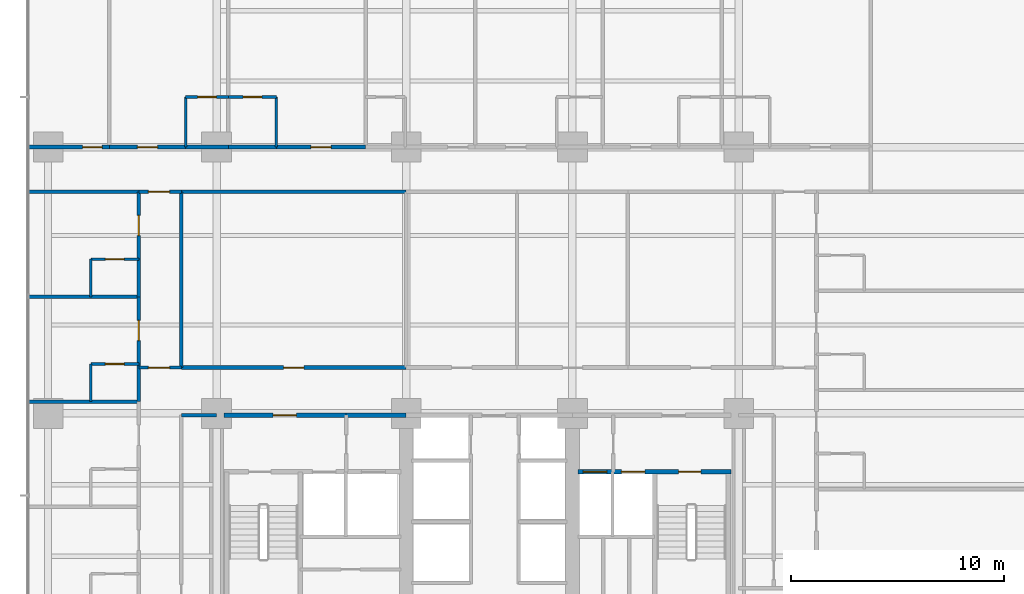
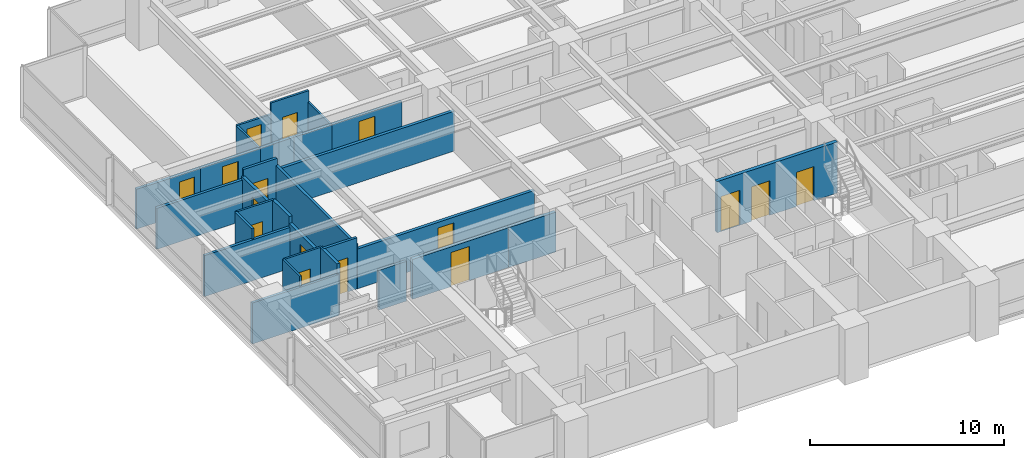
# One storey, part 9 of 18: 29 walls, 16 doors, 16 openings.
"""IFC4 building model written with IfcOpenShell, lengths in metres."""

from ifc_helpers import new_model, si_unit, direction, frame, frame_2d, origin, place, context, subcontext, project, spatial, rectangle, extrude, material, layer, layer_set, type_object, element, fill, save


model = new_model("IFC4")

# Units and contexts
model_context = context("Model", 3, precision=1e-05, world=origin(), true_north=direction((0.0, 1.0)))
body_context = subcontext(model_context, "Body", "Model", "MODEL_VIEW")
ifc_project = project(units=[si_unit("LENGTHUNIT", "METRE"), si_unit("AREAUNIT", "SQUARE_METRE"), si_unit("VOLUMEUNIT", "CUBIC_METRE"), si_unit("PLANEANGLEUNIT", "RADIAN"), si_unit("MASSUNIT", "GRAM", prefix="KILO")], contexts=[model_context])

# Site, building, storey
site_placement = place(None, origin())
site = spatial("IfcSite", under=ifc_project, at=site_placement, CompositionType="ELEMENT")
building_placement = place(site_placement, origin())
building = spatial("IfcBuilding", under=site, at=building_placement, Name="Qalmaran Belvedere Hotel", CompositionType="ELEMENT")
storey_placement = place(building_placement, frame((0.0, 0.0, 54.39990234375)))
storey = spatial("IfcBuildingStorey", under=building, at=storey_placement, Name="L13", CompositionType="ELEMENT", Elevation=54.39990234375)

# Wall, opening, door
ifc_material_1 = material(Name="Moisture-Resistant Gypsum")
ifc_layer_1 = layer(ifc_material_1, 0.1201171875, Name="Moisture-Resistant Gypsum")
ifc_layer_set_1 = layer_set([ifc_layer_1], Name="Moisture-Resistant Gypsum")
wall_type_1 = type_object("IfcWallType", Name="WL-INT-120-BATH", PredefinedType="PARTITIONING", material=ifc_layer_set_1)
wall_1_placement = place(storey_placement, frame((18.847412109375, 35.35009765625, 0.0), z_axis=(0.0, 0.0, 1.0), x_axis=(1.0, 0.0, 0.0)))
wall_1 = element("IfcWall", 1, at=wall_1_placement, inside=storey, type_object=wall_type_1, Name="L13 Partition WL-L13-NBN00", PredefinedType="PARTITIONING", context=body_context, shape_type="SweptSolid", body=[
    extrude(rectangle(XDim=2.010009765625, YDim=0.1201171875, at=frame_2d((1.0048828125, 0.0))), origin(), (0.0, 0.0, 1.0), 2.510009765625),
])
opening_1_placement = place(wall_1_placement, frame((1.44482421875, 0.0, 0.0), z_axis=(0.0, 0.0, 1.0), x_axis=(-1.0, 0.0, 0.0)))
opening_1 = element("IfcOpeningElement", 2, at=opening_1_placement, cuts=wall_1, Name="Opening D-BATH", PredefinedType="OPENING", context=body_context, shape_type="SweptSolid", body=[
    extrude(rectangle(XDim=0.8798828125, YDim=2.080078125, at=frame_2d((0.43994140625, 1.0400390625))), frame((0.0, 0.070068359375, 0.0), z_axis=(0.0, -1.0, 0.0), x_axis=(1.0, 0.0, 0.0)), (0.0, 0.0, 1.0), 0.14013671875),
])
ifc_material_2 = material(Name="Engineered Oak Veneer")
door_type_1 = type_object("IfcDoorType", Name="DR-INT-BATH-880X2080", OperationType="NOTDEFINED", PredefinedType="DOOR", material=ifc_material_2)
door_1_placement = place(opening_1_placement, origin())
door_1 = element("IfcDoor", 3, at=door_1_placement, inside=storey, type_object=door_type_1, Name="L13 Ensuite Bathroom Door N01", OperationType="SINGLE_SWING_LEFT", OverallHeight=2.080078125, OverallWidth=0.8798828125, PredefinedType="DOOR", context=body_context, shape_type="SweptSolid", body=[
    extrude(rectangle(XDim=0.8798828125, YDim=2.080078125, at=frame_2d((0.43994140625, 1.0400390625))), frame((0.0, 0.02490234375, 0.0), z_axis=(0.0, -1.0, 0.0), x_axis=(1.0, 0.0, 0.0)), (0.0, 0.0, 1.0), 0.050048828125),
])
fill(opening_1, door_1)

# Wall
wall_2_placement = place(storey_placement, frame((18.847412109375, 33.0, 0.0), z_axis=(0.0, 0.0, 1.0), x_axis=(0.0, 1.0, 0.0)))
element("IfcWall", 4, at=wall_2_placement, inside=storey, type_object=wall_type_1, Name="L13 Partition WL-L13-NBS00", PredefinedType="PARTITIONING", context=body_context, shape_type="SweptSolid", body=[
    extrude(rectangle(XDim=2.35009765625, YDim=0.1201171875, at=frame_2d((1.175048828125, 0.0))), origin(), (0.0, 0.0, 1.0), 2.510009765625),
])

# Wall, opening, door
wall_3_placement = place(storey_placement, frame((20.857421875, 35.35009765625, 0.0), z_axis=(0.0, 0.0, 1.0), x_axis=(1.0, 0.0, 0.0)))
wall_3 = element("IfcWall", 5, at=wall_3_placement, inside=storey, type_object=wall_type_1, Name="L13 Partition WL-L13-NBN01", PredefinedType="PARTITIONING", context=body_context, shape_type="SweptSolid", body=[
    extrude(rectangle(XDim=2.25, YDim=0.1201171875, at=frame_2d((1.125, 0.0))), origin(), (0.0, 0.0, 1.0), 3.22021484375),
])
opening_2_placement = place(wall_3_placement, frame((1.56494140625, 0.0, 0.0), z_axis=(0.0, 0.0, 1.0), x_axis=(-1.0, 0.0, 0.0)))
opening_2 = element("IfcOpeningElement", 6, at=opening_2_placement, cuts=wall_3, Name="Opening D-BATH", PredefinedType="OPENING", context=body_context, shape_type="SweptSolid", body=[
    extrude(rectangle(XDim=0.8798828125, YDim=2.080078125, at=frame_2d((0.43994140625, 1.0400390625))), frame((0.0, 0.070068359375, 0.0), z_axis=(0.0, -1.0, 0.0), x_axis=(1.0, 0.0, 0.0)), (0.0, 0.0, 1.0), 0.14013671875),
])
door_2_placement = place(opening_2_placement, origin())
door_2 = element("IfcDoor", 7, at=door_2_placement, inside=storey, type_object=door_type_1, Name="L13 Ensuite Bathroom Door N02", OperationType="SINGLE_SWING_LEFT", OverallHeight=2.080078125, OverallWidth=0.8798828125, PredefinedType="DOOR", context=body_context, shape_type="SweptSolid", body=[
    extrude(rectangle(XDim=0.8798828125, YDim=2.080078125, at=frame_2d((0.43994140625, 1.0400390625))), frame((0.0, 0.02490234375, 0.0), z_axis=(0.0, -1.0, 0.0), x_axis=(1.0, 0.0, 0.0)), (0.0, 0.0, 1.0), 0.050048828125),
])
fill(opening_2, door_2)

# Wall
wall_4_placement = place(storey_placement, frame((23.107421875, 33.0, 0.0), z_axis=(0.0, 0.0, 1.0), x_axis=(0.0, 1.0, 0.0)))
element("IfcWall", 8, at=wall_4_placement, inside=storey, type_object=wall_type_1, Name="L13 Partition WL-L13-NBS01", PredefinedType="PARTITIONING", context=body_context, shape_type="SweptSolid", body=[
    extrude(rectangle(XDim=2.35009765625, YDim=0.1201171875, at=frame_2d((1.175048828125, 0.0))), origin(), (0.0, 0.0, 1.0), 2.510009765625),
])

# Wall, opening, door
wall_5_placement = place(storey_placement, frame((14.39990234375, 22.820068359375, 0.0), z_axis=(0.0, 0.0, 1.0), x_axis=(1.0, 0.0, 0.0)))
wall_5 = element("IfcWall", 9, at=wall_5_placement, inside=storey, type_object=wall_type_1, Name="L13 Partition WL-L13-WBN02", PredefinedType="PARTITIONING", context=body_context, shape_type="SweptSolid", body=[
    extrude(rectangle(XDim=2.25, YDim=0.1201171875, at=frame_2d((1.125, 0.0))), origin(), (0.0, 0.0, 1.0), 3.22021484375),
])
opening_3_placement = place(wall_5_placement, frame((1.56494140625, 0.0, 0.0), z_axis=(0.0, 0.0, 1.0), x_axis=(-1.0, 0.0, 0.0)))
opening_3 = element("IfcOpeningElement", 10, at=opening_3_placement, cuts=wall_5, Name="Opening D-BATH", PredefinedType="OPENING", context=body_context, shape_type="SweptSolid", body=[
    extrude(rectangle(XDim=0.8798828125, YDim=2.080078125, at=frame_2d((0.43994140625, 1.0400390625))), frame((0.0, 0.070068359375, 0.0), z_axis=(0.0, -1.0, 0.0), x_axis=(1.0, 0.0, 0.0)), (0.0, 0.0, 1.0), 0.14013671875),
])
door_3_placement = place(opening_3_placement, origin())
door_3 = element("IfcDoor", 11, at=door_3_placement, inside=storey, type_object=door_type_1, Name="L13 W Ensuite Door 03", OperationType="SINGLE_SWING_LEFT", OverallHeight=2.080078125, OverallWidth=0.8798828125, PredefinedType="DOOR", context=body_context, shape_type="SweptSolid", body=[
    extrude(rectangle(XDim=0.8798828125, YDim=2.080078125, at=frame_2d((0.43994140625, 1.0400390625))), frame((0.0, 0.02490234375, 0.0), z_axis=(0.0, -1.0, 0.0), x_axis=(1.0, 0.0, 0.0)), (0.0, 0.0, 1.0), 0.050048828125),
])
fill(opening_3, door_3)

# Wall
wall_6_placement = place(storey_placement, frame((14.39990234375, 21.050048828125, 0.0), z_axis=(0.0, 0.0, 1.0), x_axis=(0.0, 1.0, 0.0)))
element("IfcWall", 12, at=wall_6_placement, inside=storey, type_object=wall_type_1, Name="L13 Partition WL-L13-WBS02", PredefinedType="PARTITIONING", context=body_context, shape_type="SweptSolid", body=[
    extrude(rectangle(XDim=1.77001953125, YDim=0.1201171875, at=frame_2d((0.885009765625, 0.0))), origin(), (0.0, 0.0, 1.0), 3.22021484375),
])

# Wall, opening, door
wall_7_placement = place(storey_placement, frame((14.39990234375, 27.7451171875, 0.0), z_axis=(0.0, 0.0, 1.0), x_axis=(1.0, 0.0, 0.0)))
wall_7 = element("IfcWall", 13, at=wall_7_placement, inside=storey, type_object=wall_type_1, Name="L13 Partition WL-L13-WBN03", PredefinedType="PARTITIONING", context=body_context, shape_type="SweptSolid", body=[
    extrude(rectangle(XDim=2.25, YDim=0.1201171875, at=frame_2d((1.125, 0.0))), origin(), (0.0, 0.0, 1.0), 3.22021484375),
])
opening_4_placement = place(wall_7_placement, frame((1.56494140625, 0.0, 0.0), z_axis=(0.0, 0.0, 1.0), x_axis=(-1.0, 0.0, 0.0)))
opening_4 = element("IfcOpeningElement", 14, at=opening_4_placement, cuts=wall_7, Name="Opening D-BATH", PredefinedType="OPENING", context=body_context, shape_type="SweptSolid", body=[
    extrude(rectangle(XDim=0.8798828125, YDim=2.080078125, at=frame_2d((0.43994140625, 1.0400390625))), frame((0.0, 0.070068359375, 0.0), z_axis=(0.0, -1.0, 0.0), x_axis=(1.0, 0.0, 0.0)), (0.0, 0.0, 1.0), 0.14013671875),
])
door_4_placement = place(opening_4_placement, origin())
door_4 = element("IfcDoor", 15, at=door_4_placement, inside=storey, type_object=door_type_1, Name="L13 W Ensuite Door 04", OperationType="SINGLE_SWING_LEFT", OverallHeight=2.080078125, OverallWidth=0.8798828125, PredefinedType="DOOR", context=body_context, shape_type="SweptSolid", body=[
    extrude(rectangle(XDim=0.8798828125, YDim=2.080078125, at=frame_2d((0.43994140625, 1.0400390625))), frame((0.0, 0.02490234375, 0.0), z_axis=(0.0, -1.0, 0.0), x_axis=(1.0, 0.0, 0.0)), (0.0, 0.0, 1.0), 0.050048828125),
])
fill(opening_4, door_4)

# Wall
wall_8_placement = place(storey_placement, frame((14.39990234375, 25.97509765625, 0.0), z_axis=(0.0, 0.0, 1.0), x_axis=(0.0, 1.0, 0.0)))
element("IfcWall", 16, at=wall_8_placement, inside=storey, type_object=wall_type_1, Name="L13 Partition WL-L13-WBS03", PredefinedType="PARTITIONING", context=body_context, shape_type="SweptSolid", body=[
    extrude(rectangle(XDim=1.77001953125, YDim=0.1201171875, at=frame_2d((0.885009765625, 0.0))), origin(), (0.0, 0.0, 1.0), 3.22021484375),
])

# Wall, opening, door
ifc_material_3 = material(Name="Gypsum Stud Partition")
ifc_layer_2 = layer(ifc_material_3, 0.14990234375, Name="Gypsum Stud Partition")
ifc_layer_set_2 = layer_set([ifc_layer_2], Name="Gypsum Stud Partition")
wall_type_2 = type_object("IfcWallType", Name="WL-INT-150-EI60", PredefinedType="PARTITIONING", material=ifc_layer_set_2)
wall_9_placement = place(storey_placement, frame((16.64990234375, 22.64990234375, 0.0), z_axis=(0.0, 0.0, 1.0), x_axis=(1.0, 0.0, 0.0)))
wall_9 = element("IfcWall", 17, at=wall_9_placement, inside=storey, type_object=wall_type_2, Name="L13 Partition WL-L13-XCW1", PredefinedType="PARTITIONING", context=body_context, shape_type="SweptSolid", body=[
    extrude(rectangle(XDim=2.0, YDim=0.14990234375, at=frame_2d((1.0, 0.0))), origin(), (0.0, 0.0, 1.0), 3.22021484375),
])
opening_5_placement = place(wall_9_placement, frame((0.449951171875, 0.0, 0.0)))
opening_5 = element("IfcOpeningElement", 18, at=opening_5_placement, cuts=wall_9, Name="Opening FD90B", PredefinedType="OPENING", context=body_context, shape_type="SweptSolid", body=[
    extrude(rectangle(XDim=1.0, YDim=2.14990234375, at=frame_2d((0.5, 1.074951171875))), frame((0.0, 0.0849609375, 0.0), z_axis=(0.0, -1.0, 0.0), x_axis=(1.0, 0.0, 0.0)), (0.0, 0.0, 1.0), 0.169921875),
])
ifc_material_4 = material(Name="Steel S355JR", Category="steel")
door_type_2 = type_object("IfcDoorType", Name="DR-FD90B-1000X2150", OperationType="NOTDEFINED", PredefinedType="DOOR", material=ifc_material_4)
door_5_placement = place(opening_5_placement, origin())
door_5 = element("IfcDoor", 19, at=door_5_placement, inside=storey, type_object=door_type_2, Name="L13 West Corridor Smoke Door S", OperationType="SINGLE_SWING_LEFT", OverallHeight=2.14990234375, OverallWidth=1.0, PredefinedType="DOOR", context=body_context, shape_type="SweptSolid", body=[
    extrude(rectangle(XDim=1.0, YDim=2.14990234375, at=frame_2d((0.5, 1.074951171875))), frame((0.0, 0.02490234375, 0.0), z_axis=(0.0, -1.0, 0.0), x_axis=(1.0, 0.0, 0.0)), (0.0, 0.0, 1.0), 0.050048828125),
])
fill(opening_5, door_5)

wall_10_placement = place(storey_placement, frame((16.64990234375, 30.89990234375, 0.0), z_axis=(0.0, 0.0, 1.0), x_axis=(1.0, 0.0, 0.0)))
wall_10 = element("IfcWall", 20, at=wall_10_placement, inside=storey, type_object=wall_type_2, Name="L13 Partition WL-L13-XCW2", PredefinedType="PARTITIONING", context=body_context, shape_type="SweptSolid", body=[
    extrude(rectangle(XDim=2.0, YDim=0.14990234375, at=frame_2d((1.0, 0.0))), origin(), (0.0, 0.0, 1.0), 3.22021484375),
])
opening_6_placement = place(wall_10_placement, frame((0.449951171875, 0.0, 0.0)))
opening_6 = element("IfcOpeningElement", 21, at=opening_6_placement, cuts=wall_10, Name="Opening FD90B", PredefinedType="OPENING", context=body_context, shape_type="SweptSolid", body=[
    extrude(rectangle(XDim=1.0, YDim=2.14990234375, at=frame_2d((0.5, 1.074951171875))), frame((0.0, 0.0849609375, 0.0), z_axis=(0.0, -1.0, 0.0), x_axis=(1.0, 0.0, 0.0)), (0.0, 0.0, 1.0), 0.169921875),
])
door_6_placement = place(opening_6_placement, origin())
door_6 = element("IfcDoor", 22, at=door_6_placement, inside=storey, type_object=door_type_2, Name="L13 West Corridor Smoke Door N", OperationType="SINGLE_SWING_RIGHT", OverallHeight=2.14990234375, OverallWidth=1.0, PredefinedType="DOOR", context=body_context, shape_type="SweptSolid", body=[
    extrude(rectangle(XDim=1.0, YDim=2.14990234375, at=frame_2d((0.5, 1.074951171875))), frame((0.0, 0.02490234375, 0.0), z_axis=(0.0, -1.0, 0.0), x_axis=(1.0, 0.0, 0.0)), (0.0, 0.0, 1.0), 0.050048828125),
])
fill(opening_6, door_6)

# Walls
ifc_layer_3 = layer(ifc_material_3, 0.159912109375, Name="Gypsum Stud Partition")
ifc_layer_set_3 = layer_set([ifc_layer_3], Name="Gypsum Stud Partition")
wall_type_3 = type_object("IfcWallType", Name="WL-INT-160-EI60", PredefinedType="PARTITIONING", material=ifc_layer_set_3)
wall_11_placement = place(storey_placement, frame((18.64990234375, 20.419921875, 0.0), z_axis=(0.0, 0.0, 1.0), x_axis=(1.0, 0.0, 0.0)))
element("IfcWall", 23, at=wall_11_placement, inside=storey, type_object=wall_type_3, Name="L13 Partition WL-L13-WCLN", PredefinedType="PARTITIONING", context=body_context, shape_type="SweptSolid", body=[
    extrude(rectangle(XDim=1.650146484375, YDim=0.159912109375, at=frame_2d((0.8251953125, 0.0))), origin(), (0.0, 0.0, 1.0), 2.510009765625),
])
wall_12_placement = place(storey_placement, frame((18.64990234375, 22.64990234375, 0.0), z_axis=(0.0, 0.0, 1.0), x_axis=(0.0, 1.0, 0.0)))
element("IfcWall", 24, at=wall_12_placement, inside=storey, type_object=wall_type_3, Name="L13 Partition WL-L13-MIDVL", PredefinedType="PARTITIONING", context=body_context, shape_type="SweptSolid", body=[
    extrude(rectangle(XDim=8.25, YDim=0.159912109375, at=frame_2d((4.125, 0.0))), origin(), (0.0, 0.0, 1.0), 2.7880859375),
])
for number, where, z_axis, x_axis, name in (
    (25, (11.469970703125, 21.050048828125, 0.0), (0.0, 0.0, 1.0), (1.0, 0.0, 0.0), "L13 Partition WL-L13-WU01"),
    (26, (11.469970703125, 25.97509765625, 0.0), (0.0, 0.0, 1.0), (1.0, 0.0, 0.0), "L13 Partition WL-L13-WU02"),
    (27, (11.469970703125, 30.89990234375, 0.0), (0.0, 0.0, 1.0), (1.0, 0.0, 0.0), "L13 Partition WL-L13-WU03"),
):
    element("IfcWall", number, at=place(storey_placement, frame(where, z_axis=z_axis, x_axis=x_axis)), inside=storey, type_object=wall_type_3, Name=name, PredefinedType="PARTITIONING", context=body_context, shape_type="SweptSolid", body=[
        extrude(rectangle(XDim=5.179931640625, YDim=0.159912109375, at=frame_2d((2.58984375, 0.0))), origin(), (0.0, 0.0, 1.0), 2.5830078125),
    ])

# Wall, opening, door
ifc_layer_4 = layer(ifc_material_3, 0.179931640625, Name="Gypsum Stud Partition")
ifc_layer_set_4 = layer_set([ifc_layer_4], Name="Gypsum Stud Partition")
wall_type_4 = type_object("IfcWallType", Name="WL-INT-180-EI60", PredefinedType="PARTITIONING", material=ifc_layer_set_4)
wall_13_placement = place(storey_placement, frame((18.64990234375, 22.64990234375, 0.0), z_axis=(0.0, 0.0, 1.0), x_axis=(1.0, 0.0, 0.0)))
wall_13 = element("IfcWall", 28, at=wall_13_placement, inside=storey, type_object=wall_type_4, Name="L13 Partition WL-L13-MIDD1", PredefinedType="PARTITIONING", context=body_context, shape_type="SweptSolid", body=[
    extrude(rectangle(XDim=10.550048828125, YDim=0.179931640625, at=frame_2d((5.27490234375, 0.0))), origin(), (0.0, 0.0, 1.0), 2.510009765625),
])
opening_7_placement = place(wall_13_placement, frame((4.800048828125, 0.0, 0.0)))
opening_7 = element("IfcOpeningElement", 29, at=opening_7_placement, cuts=wall_13, Name="Opening FD60", PredefinedType="OPENING", context=body_context, shape_type="SweptSolid", body=[
    extrude(rectangle(XDim=0.949951171875, YDim=2.14990234375, at=frame_2d((0.47509765625, 1.074951171875))), frame((0.0, 0.10009765625, 0.0), z_axis=(0.0, -1.0, 0.0), x_axis=(1.0, 0.0, 0.0)), (0.0, 0.0, 1.0), 0.199951171875),
])
door_type_3 = type_object("IfcDoorType", Name="DR-FD60-950X2150", OperationType="NOTDEFINED", PredefinedType="DOOR", material=ifc_material_2)
door_7_placement = place(opening_7_placement, origin())
door_7 = element("IfcDoor", 30, at=door_7_placement, inside=storey, type_object=door_type_3, Name="L13 Housekeeping and Linen Room Door", OperationType="SINGLE_SWING_LEFT", OverallHeight=2.14990234375, OverallWidth=0.949951171875, PredefinedType="DOOR", context=body_context, shape_type="SweptSolid", body=[
    extrude(rectangle(XDim=0.949951171875, YDim=2.14990234375, at=frame_2d((0.47509765625, 1.074951171875))), frame((0.0, 0.02490234375, 0.0), z_axis=(0.0, -1.0, 0.0), x_axis=(1.0, 0.0, 0.0)), (0.0, 0.0, 1.0), 0.050048828125),
])
fill(opening_7, door_7)

# Walls
wall_14_placement = place(storey_placement, frame((18.64990234375, 30.89990234375, 0.0), z_axis=(0.0, 0.0, 1.0), x_axis=(1.0, 0.0, 0.0)))
element("IfcWall", 31, at=wall_14_placement, inside=storey, type_object=wall_type_4, Name="L13 Partition WL-L13-MIDO1", PredefinedType="PARTITIONING", context=body_context, shape_type="SweptSolid", body=[
    extrude(rectangle(XDim=10.550048828125, YDim=0.179931640625, at=frame_2d((5.27490234375, 0.0))), origin(), (0.0, 0.0, 1.0), 2.510009765625),
])
wall_15_placement = place(storey_placement, frame((18.847412109375, 33.0, 0.0), z_axis=(0.0, 0.0, 1.0), x_axis=(1.0, 0.0, 0.0)))
element("IfcWall", 32, at=wall_15_placement, inside=storey, type_object=wall_type_4, Name="L13 Partition WL-L13-NBC00", PredefinedType="PARTITIONING", context=body_context, shape_type="SweptSolid", body=[
    extrude(rectangle(XDim=2.010009765625, YDim=0.179931640625, at=frame_2d((1.0048828125, 0.0))), origin(), (0.0, 0.0, 1.0), 2.510009765625),
])

# Wall, opening, door
wall_16_placement = place(storey_placement, frame((15.27001953125, 33.0, 0.0), z_axis=(0.0, 0.0, 1.0), x_axis=(1.0, 0.0, 0.0)))
wall_16 = element("IfcWall", 33, at=wall_16_placement, inside=storey, type_object=wall_type_4, Name="L13 Partition WL-L13-NEC00", PredefinedType="PARTITIONING", context=body_context, shape_type="SweptSolid", body=[
    extrude(rectangle(XDim=3.577392578125, YDim=0.179931640625, at=frame_2d((1.78857421875, 0.0))), origin(), (0.0, 0.0, 1.0), 2.510009765625),
])
opening_8_placement = place(wall_16_placement, frame((1.313720703125, 0.0, 0.0)))
opening_8 = element("IfcOpeningElement", 34, at=opening_8_placement, cuts=wall_16, Name="Opening FD60", PredefinedType="OPENING", context=body_context, shape_type="SweptSolid", body=[
    extrude(rectangle(XDim=0.949951171875, YDim=2.14990234375, at=frame_2d((0.47509765625, 1.074951171875))), frame((0.0, 0.10009765625, 0.0), z_axis=(0.0, -1.0, 0.0), x_axis=(1.0, 0.0, 0.0)), (0.0, 0.0, 1.0), 0.199951171875),
])
door_8_placement = place(opening_8_placement, origin())
door_8 = element("IfcDoor", 35, at=door_8_placement, inside=storey, type_object=door_type_3, Name="L13 Guest Entrance Door N01", OperationType="SINGLE_SWING_RIGHT", OverallHeight=2.14990234375, OverallWidth=0.949951171875, PredefinedType="DOOR", context=body_context, shape_type="SweptSolid", body=[
    extrude(rectangle(XDim=0.949951171875, YDim=2.14990234375, at=frame_2d((0.47509765625, 1.074951171875))), frame((0.0, 0.02490234375, 0.0), z_axis=(0.0, -1.0, 0.0), x_axis=(1.0, 0.0, 0.0)), (0.0, 0.0, 1.0), 0.050048828125),
])
fill(opening_8, door_8)

# Wall
wall_17_placement = place(storey_placement, frame((20.857421875, 33.0, 0.0), z_axis=(0.0, 0.0, 1.0), x_axis=(1.0, 0.0, 0.0)))
element("IfcWall", 36, at=wall_17_placement, inside=storey, type_object=wall_type_4, Name="L13 Partition WL-L13-NBC01", PredefinedType="PARTITIONING", context=body_context, shape_type="SweptSolid", body=[
    extrude(rectangle(XDim=2.25, YDim=0.179931640625, at=frame_2d((1.125, 0.0))), origin(), (0.0, 0.0, 1.0), 2.510009765625),
])

# Wall, opening, door
wall_18_placement = place(storey_placement, frame((23.107421875, 33.0, 0.0), z_axis=(0.0, 0.0, 1.0), x_axis=(1.0, 0.0, 0.0)))
wall_18 = element("IfcWall", 37, at=wall_18_placement, inside=storey, type_object=wall_type_4, Name="L13 Partition WL-L13-NEC01", PredefinedType="PARTITIONING", context=body_context, shape_type="SweptSolid", body=[
    extrude(rectangle(XDim=4.192626953125, YDim=0.179931640625, at=frame_2d((2.09619140625, 0.0))), origin(), (0.0, 0.0, 1.0), 2.510009765625),
])
opening_9_placement = place(wall_18_placement, frame((1.621337890625, 0.0, 0.0)))
opening_9 = element("IfcOpeningElement", 38, at=opening_9_placement, cuts=wall_18, Name="Opening FD60", PredefinedType="OPENING", context=body_context, shape_type="SweptSolid", body=[
    extrude(rectangle(XDim=0.949951171875, YDim=2.14990234375, at=frame_2d((0.47509765625, 1.074951171875))), frame((0.0, 0.10009765625, 0.0), z_axis=(0.0, -1.0, 0.0), x_axis=(1.0, 0.0, 0.0)), (0.0, 0.0, 1.0), 0.199951171875),
])
door_9_placement = place(opening_9_placement, origin())
door_9 = element("IfcDoor", 39, at=door_9_placement, inside=storey, type_object=door_type_3, Name="L13 Guest Entrance Door N02", OperationType="SINGLE_SWING_RIGHT", OverallHeight=2.14990234375, OverallWidth=0.949951171875, PredefinedType="DOOR", context=body_context, shape_type="SweptSolid", body=[
    extrude(rectangle(XDim=0.949951171875, YDim=2.14990234375, at=frame_2d((0.47509765625, 1.074951171875))), frame((0.0, 0.02490234375, 0.0), z_axis=(0.0, -1.0, 0.0), x_axis=(1.0, 0.0, 0.0)), (0.0, 0.0, 1.0), 0.050048828125),
])
fill(opening_9, door_9)

# Wall
wall_19_placement = place(storey_placement, frame((16.64990234375, 21.050048828125, 0.0), z_axis=(0.0, 0.0, 1.0), x_axis=(0.0, 1.0, 0.0)))
element("IfcWall", 40, at=wall_19_placement, inside=storey, type_object=wall_type_4, Name="L13 Partition WL-L13-WBC02", PredefinedType="PARTITIONING", context=body_context, shape_type="SweptSolid", body=[
    extrude(rectangle(XDim=1.77001953125, YDim=0.179931640625, at=frame_2d((0.885009765625, 0.0))), origin(), (0.0, 0.0, 1.0), 3.22021484375),
])

# Wall, opening, door
wall_20_placement = place(storey_placement, frame((16.64990234375, 22.820068359375, 0.0), z_axis=(0.0, 0.0, 1.0), x_axis=(0.0, 1.0, 0.0)))
wall_20 = element("IfcWall", 41, at=wall_20_placement, inside=storey, type_object=wall_type_4, Name="L13 Partition WL-L13-WEC02", PredefinedType="PARTITIONING", context=body_context, shape_type="SweptSolid", body=[
    extrude(rectangle(XDim=3.155029296875, YDim=0.179931640625, at=frame_2d((1.57763671875, 0.0))), origin(), (0.0, 0.0, 1.0), 2.7880859375),
])
opening_10_placement = place(wall_20_placement, frame((1.1025390625, 0.0, 0.0)))
opening_10 = element("IfcOpeningElement", 42, at=opening_10_placement, cuts=wall_20, Name="Opening FD60", PredefinedType="OPENING", context=body_context, shape_type="SweptSolid", body=[
    extrude(rectangle(XDim=0.949951171875, YDim=2.14990234375, at=frame_2d((0.47509765625, 1.074951171875))), frame((0.0, 0.10009765625, 0.0), z_axis=(0.0, -1.0, 0.0), x_axis=(1.0, 0.0, 0.0)), (0.0, 0.0, 1.0), 0.199951171875),
])
door_10_placement = place(opening_10_placement, origin())
door_10 = element("IfcDoor", 43, at=door_10_placement, inside=storey, type_object=door_type_3, Name="L13 W Wing Door 03", OperationType="SINGLE_SWING_RIGHT", OverallHeight=2.14990234375, OverallWidth=0.949951171875, PredefinedType="DOOR", context=body_context, shape_type="SweptSolid", body=[
    extrude(rectangle(XDim=0.949951171875, YDim=2.14990234375, at=frame_2d((0.47509765625, 1.074951171875))), frame((0.0, 0.02490234375, 0.0), z_axis=(0.0, -1.0, 0.0), x_axis=(1.0, 0.0, 0.0)), (0.0, 0.0, 1.0), 0.050048828125),
])
fill(opening_10, door_10)

# Wall
wall_21_placement = place(storey_placement, frame((16.64990234375, 25.97509765625, 0.0), z_axis=(0.0, 0.0, 1.0), x_axis=(0.0, 1.0, 0.0)))
element("IfcWall", 44, at=wall_21_placement, inside=storey, type_object=wall_type_4, Name="L13 Partition WL-L13-WBC03", PredefinedType="PARTITIONING", context=body_context, shape_type="SweptSolid", body=[
    extrude(rectangle(XDim=1.77001953125, YDim=0.179931640625, at=frame_2d((0.885009765625, 0.0))), origin(), (0.0, 0.0, 1.0), 3.22021484375),
])

# Wall, opening, door
wall_22_placement = place(storey_placement, frame((16.64990234375, 27.7451171875, 0.0), z_axis=(0.0, 0.0, 1.0), x_axis=(0.0, 1.0, 0.0)))
wall_22 = element("IfcWall", 45, at=wall_22_placement, inside=storey, type_object=wall_type_4, Name="L13 Partition WL-L13-WEC03", PredefinedType="PARTITIONING", context=body_context, shape_type="SweptSolid", body=[
    extrude(rectangle(XDim=3.15478515625, YDim=0.179931640625, at=frame_2d((1.577392578125, 0.0))), origin(), (0.0, 0.0, 1.0), 2.7880859375),
])
opening_11_placement = place(wall_22_placement, frame((1.1025390625, 0.0, 0.0)))
opening_11 = element("IfcOpeningElement", 46, at=opening_11_placement, cuts=wall_22, Name="Opening FD60", PredefinedType="OPENING", context=body_context, shape_type="SweptSolid", body=[
    extrude(rectangle(XDim=0.949951171875, YDim=2.14990234375, at=frame_2d((0.47509765625, 1.074951171875))), frame((0.0, 0.10009765625, 0.0), z_axis=(0.0, -1.0, 0.0), x_axis=(1.0, 0.0, 0.0)), (0.0, 0.0, 1.0), 0.199951171875),
])
door_11_placement = place(opening_11_placement, origin())
door_11 = element("IfcDoor", 47, at=door_11_placement, inside=storey, type_object=door_type_3, Name="L13 W Wing Door 04", OperationType="SINGLE_SWING_RIGHT", OverallHeight=2.14990234375, OverallWidth=0.949951171875, PredefinedType="DOOR", context=body_context, shape_type="SweptSolid", body=[
    extrude(rectangle(XDim=0.949951171875, YDim=2.14990234375, at=frame_2d((0.47509765625, 1.074951171875))), frame((0.0, 0.02490234375, 0.0), z_axis=(0.0, -1.0, 0.0), x_axis=(1.0, 0.0, 0.0)), (0.0, 0.0, 1.0), 0.050048828125),
])
fill(opening_11, door_11)

wall_23_placement = place(storey_placement, frame((11.469970703125, 33.0, 0.0), z_axis=(0.0, 0.0, 1.0), x_axis=(1.0, 0.0, 0.0)))
wall_23 = element("IfcWall", 48, at=wall_23_placement, inside=storey, type_object=wall_type_4, Name="L13 Partition WL-L13-NWSD", PredefinedType="PARTITIONING", context=body_context, shape_type="SweptSolid", body=[
    extrude(rectangle(XDim=3.800048828125, YDim=0.179931640625, at=frame_2d((1.89990234375, 0.0))), origin(), (0.0, 0.0, 1.0), 2.510009765625),
])
opening_12_placement = place(wall_23_placement, frame((2.543701171875, 0.0, 0.0)))
opening_12 = element("IfcOpeningElement", 49, at=opening_12_placement, cuts=wall_23, Name="Opening FD60S1", PredefinedType="OPENING", context=body_context, shape_type="SweptSolid", body=[
    extrude(rectangle(XDim=0.919921875, YDim=2.080078125, at=frame_2d((0.4599609375, 1.0400390625))), frame((0.0, 0.10009765625, 0.0), z_axis=(0.0, -1.0, 0.0), x_axis=(1.0, 0.0, 0.0)), (0.0, 0.0, 1.0), 0.199951171875),
])
door_type_4 = type_object("IfcDoorType", Name="DR-FD60S-920X2080", OperationType="NOTDEFINED", PredefinedType="DOOR", material=ifc_material_2)
door_12_placement = place(opening_12_placement, origin())
door_12 = element("IfcDoor", 50, at=door_12_placement, inside=storey, type_object=door_type_4, Name="L13 NW Belvedere Study Door", OperationType="SINGLE_SWING_LEFT", OverallHeight=2.080078125, OverallWidth=0.919921875, PredefinedType="DOOR", context=body_context, shape_type="SweptSolid", body=[
    extrude(rectangle(XDim=0.919921875, YDim=2.080078125, at=frame_2d((0.4599609375, 1.0400390625))), frame((0.0, 0.02490234375, 0.0), z_axis=(0.0, -1.0, 0.0), x_axis=(1.0, 0.0, 0.0)), (0.0, 0.0, 1.0), 0.050048828125),
])
fill(opening_12, door_12)

ifc_material_5 = material(Name="Concrete C30/37 Blockwork", Category="masonry")
ifc_layer_5 = layer(ifc_material_5, 0.199951171875, Name="Concrete C30/37 Blockwork")
ifc_layer_set_5 = layer_set([ifc_layer_5], Name="Concrete C30/37 Blockwork")
wall_type_5 = type_object("IfcWallType", Name="WL-INT-200-EI120", PredefinedType="PARTITIONING", material=ifc_layer_set_5)
wall_24_placement = place(storey_placement, frame((20.64990234375, 20.419921875, 0.0), z_axis=(0.0, 0.0, 1.0), x_axis=(1.0, 0.0, 0.0)))
wall_24 = element("IfcWall", 51, at=wall_24_placement, inside=storey, type_object=wall_type_5, Name="L13 Partition WL-CN1A-L13", PredefinedType="PARTITIONING", context=body_context, shape_type="SweptSolid", body=[
    extrude(rectangle(XDim=5.72998046875, YDim=0.199951171875, at=frame_2d((2.864990234375, 0.0))), origin(), (0.0, 0.0, 1.0), 2.510009765625),
])
opening_13_placement = place(wall_24_placement, frame((2.300048828125, 0.0, 0.0)))
opening_13 = element("IfcOpeningElement", 52, at=opening_13_placement, cuts=wall_24, Name="Opening FD90", PredefinedType="OPENING", context=body_context, shape_type="SweptSolid", body=[
    extrude(rectangle(XDim=1.10009765625, YDim=2.14990234375, at=frame_2d((0.550048828125, 1.074951171875))), frame((0.0, 0.10986328125, 0.0), z_axis=(0.0, -1.0, 0.0), x_axis=(1.0, 0.0, 0.0)), (0.0, 0.0, 1.0), 0.219970703125),
])
door_type_5 = type_object("IfcDoorType", Name="DR-FD90-1100X2150", OperationType="NOTDEFINED", PredefinedType="DOOR", material=ifc_material_4)
door_13_placement = place(opening_13_placement, origin())
door_13 = element("IfcDoor", 53, at=door_13_placement, inside=storey, type_object=door_type_5, Name="L13 FF1 Lobby Corridor Door", OperationType="SINGLE_SWING_LEFT", OverallHeight=2.14990234375, OverallWidth=1.10009765625, PredefinedType="DOOR", context=body_context, shape_type="SweptSolid", body=[
    extrude(rectangle(XDim=1.10009765625, YDim=2.14990234375, at=frame_2d((0.550048828125, 1.074951171875))), frame((0.0, 0.02490234375, 0.0), z_axis=(0.0, -1.0, 0.0), x_axis=(1.0, 0.0, 0.0)), (0.0, 0.0, 1.0), 0.050048828125),
])
fill(opening_13, door_13)

# Wall
wall_25_placement = place(storey_placement, frame((26.3798828125, 20.419921875, 0.0), z_axis=(0.0, 0.0, 1.0), x_axis=(1.0, 0.0, 0.0)))
element("IfcWall", 54, at=wall_25_placement, inside=storey, type_object=wall_type_5, Name="L13 Partition WL-CN1B-L13", PredefinedType="PARTITIONING", context=body_context, shape_type="SweptSolid", body=[
    extrude(rectangle(XDim=2.820068359375, YDim=0.199951171875, at=frame_2d((1.41015625, 0.0))), origin(), (0.0, 0.0, 1.0), 2.510009765625),
])

# Wall, openings, doors
ifc_material_6 = material(Name="Concrete C50/60", Category="concrete")
ifc_layer_6 = layer(ifc_material_6, 0.2099609375, Name="Concrete C50/60")
ifc_layer_set_6 = layer_set([ifc_layer_6], Name="Concrete C50/60")
wall_type_6 = type_object("IfcWallType", Name="WL-STAIR-210-C50", PredefinedType="SHEAR", material=ifc_layer_set_6)
wall_26_placement = place(storey_placement, frame((37.25, 17.7548828125, 0.0), z_axis=(0.0, 0.0, 1.0), x_axis=(1.0, 0.0, 0.0)))
wall_26 = element("IfcWall", 55, at=wall_26_placement, inside=storey, type_object=wall_type_6, Name="L13 East Lobby and Stair ST-2 North Bearing Wall", PredefinedType="SHEAR", context=body_context, shape_type="SweptSolid", body=[
    extrude(rectangle(XDim=7.199951171875, YDim=0.2099609375, at=frame_2d((3.60009765625, 0.0))), origin(), (0.0, 0.0, 1.0), 3.22021484375),
])
opening_14_placement = place(wall_26_placement, frame((0.25, 0.0, 0.0)))
opening_14 = element("IfcOpeningElement", 56, at=opening_14_placement, cuts=wall_26, Name="Opening LD-SV", PredefinedType="OPENING", context=body_context, shape_type="SweptSolid", body=[
    extrude(rectangle(XDim=1.1201171875, YDim=2.199951171875, at=frame_2d((0.56005859375, 1.10009765625))), frame((0.0, 0.114990234375, 0.0), z_axis=(0.0, -1.0, 0.0), x_axis=(1.0, 0.0, 0.0)), (0.0, 0.0, 1.0), 0.22998046875),
])
opening_15_placement = place(wall_26_placement, frame((2.050048828125, 0.0, 0.0)))
opening_15 = element("IfcOpeningElement", 57, at=opening_15_placement, cuts=wall_26, Name="Opening LD-FF", PredefinedType="OPENING", context=body_context, shape_type="SweptSolid", body=[
    extrude(rectangle(XDim=1.10009765625, YDim=2.179931640625, at=frame_2d((0.550048828125, 1.08984375))), frame((0.0, 0.114990234375, 0.0), z_axis=(0.0, -1.0, 0.0), x_axis=(1.0, 0.0, 0.0)), (0.0, 0.0, 1.0), 0.22998046875),
])
opening_16_placement = place(wall_26_placement, frame((5.780029296875, 0.0, 0.0), z_axis=(0.0, 0.0, 1.0), x_axis=(-1.0, 0.0, 0.0)))
opening_16 = element("IfcOpeningElement", 58, at=opening_16_placement, cuts=wall_26, Name="Opening FD90S2", PredefinedType="OPENING", context=body_context, shape_type="SweptSolid", body=[
    extrude(rectangle(XDim=1.050048828125, YDim=2.14990234375, at=frame_2d((0.52490234375, 1.074951171875))), frame((0.0, 0.114990234375, 0.0), z_axis=(0.0, -1.0, 0.0), x_axis=(1.0, 0.0, 0.0)), (0.0, 0.0, 1.0), 0.22998046875),
])
door_type_6 = type_object("IfcDoorType", Name="DR-FD90S-1050X2150", OperationType="NOTDEFINED", PredefinedType="DOOR", material=ifc_material_4)
door_14_placement = place(opening_16_placement, origin())
door_14 = element("IfcDoor", 59, at=door_14_placement, inside=storey, type_object=door_type_6, Name="L13 Stair ST-2 Door", OperationType="SINGLE_SWING_RIGHT", OverallHeight=2.14990234375, OverallWidth=1.050048828125, PredefinedType="DOOR", context=body_context, shape_type="SweptSolid", body=[
    extrude(rectangle(XDim=1.050048828125, YDim=2.14990234375, at=frame_2d((0.52490234375, 1.074951171875))), frame((0.0, 0.02490234375, 0.0), z_axis=(0.0, -1.0, 0.0), x_axis=(1.0, 0.0, 0.0)), (0.0, 0.0, 1.0), 0.050048828125),
])
fill(opening_16, door_14)
ifc_material_7 = material(Name="Stainless Steel 1.4401", Category="steel")
door_type_7 = type_object("IfcDoorType", Name="DR-LIFT-FF-1100X2180", OperationType="DOUBLE_DOOR_SLIDING", PredefinedType="DOOR", material=ifc_material_7)
door_15_placement = place(opening_15_placement, origin())
door_15 = element("IfcDoor", 60, at=door_15_placement, inside=storey, type_object=door_type_7, Name="L13 FF2 Lift Landing Door", OperationType="DOUBLE_DOOR_SLIDING", OverallHeight=2.179931640625, OverallWidth=1.10009765625, PredefinedType="DOOR", context=body_context, shape_type="SweptSolid", body=[
    extrude(rectangle(XDim=1.10009765625, YDim=2.179931640625, at=frame_2d((0.550048828125, 1.08984375))), frame((0.0, 0.02490234375, 0.0), z_axis=(0.0, -1.0, 0.0), x_axis=(1.0, 0.0, 0.0)), (0.0, 0.0, 1.0), 0.050048828125),
])
fill(opening_15, door_15)
door_type_8 = type_object("IfcDoorType", Name="DR-LIFT-SV-1120X2200", OperationType="DOUBLE_DOOR_SLIDING", PredefinedType="DOOR", material=ifc_material_7)
door_16_placement = place(opening_14_placement, origin())
door_16 = element("IfcDoor", 61, at=door_16_placement, inside=storey, type_object=door_type_8, Name="L13 SV2 Lift Landing Door", OperationType="DOUBLE_DOOR_SLIDING", OverallHeight=2.199951171875, OverallWidth=1.1201171875, PredefinedType="DOOR", context=body_context, shape_type="SweptSolid", body=[
    extrude(rectangle(XDim=1.1201171875, YDim=2.199951171875, at=frame_2d((0.56005859375, 1.10009765625))), frame((0.0, 0.02490234375, 0.0), z_axis=(0.0, -1.0, 0.0), x_axis=(1.0, 0.0, 0.0)), (0.0, 0.0, 1.0), 0.050048828125),
])
fill(opening_14, door_16)

save(model, "model.ifc")
